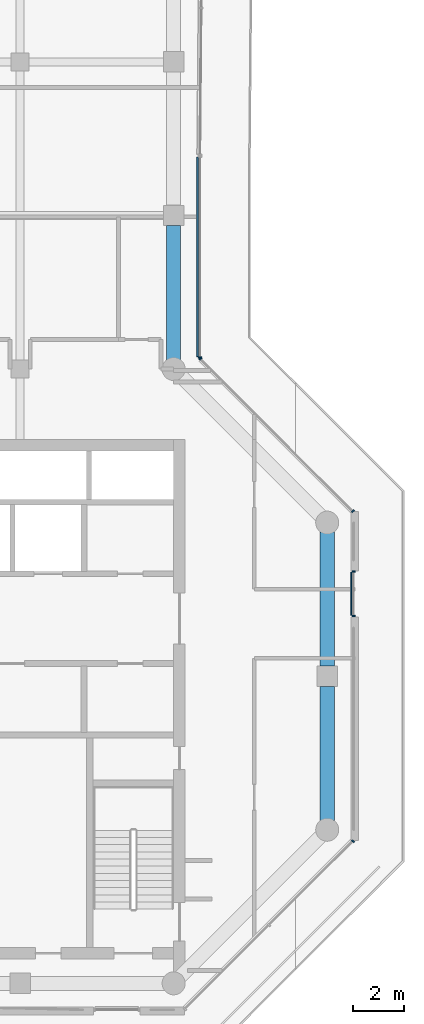
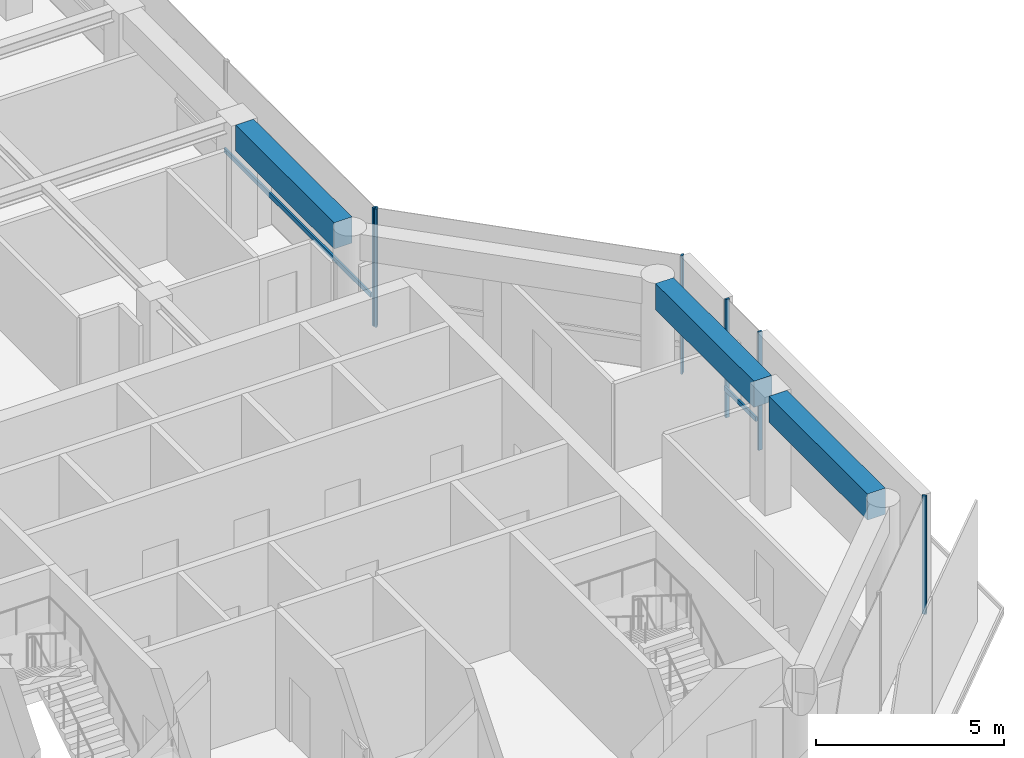
# One storey, part 6 of 19: 8 members, 3 beams, 4 elements without a shape of their own.
"""IFC4 building model written with IfcOpenShell, lengths in metres."""

import ifcopenshell
import ifcopenshell.guid

model = None  # the IFC model being written
_history = None  # IfcOwnerHistory: only IFC2X3 demands one
_inside = {}  # id of a spatial element -> (the spatial element, [elements in it])
_under = {}  # id of a project, library or spatial element -> (it, [spatial elements below it])
_declared = {}  # id of a project -> (the project, [libraries it declares])
_typed = {}  # id of a type object -> (the type object, [elements of that type])
_made_of = {}  # id of a material, layer set ... -> (it, [elements and type objects made of it])


def new_model(schema):
    """Start an empty IFC model of exactly this schema.

    Asked for "IFC4X3", IfcOpenShell would pick the latest addendum, in which some entities
    have other attributes; the version numbers below select the first issue.
    IFC2X3 requires an IfcOwnerHistory on every rooted entity: one is made here for all.
    """
    global model, _history
    if schema == "IFC4X3":
        model = ifcopenshell.file(schema_version=(4, 3, 0, 0))
    else:
        model = ifcopenshell.file(schema=schema)
    _inside.clear()
    _under.clear()
    _declared.clear()
    _typed.clear()
    _made_of.clear()
    _history = None
    if model.schema == "IFC2X3":
        org = make("IfcOrganization", Name="unknown")
        user = make(
            "IfcPersonAndOrganization",
            ThePerson=make("IfcPerson", FamilyName="unknown"),
            TheOrganization=org,
        )
        app = make(
            "IfcApplication",
            ApplicationDeveloper=org,
            Version="unknown",
            ApplicationFullName="unknown",
            ApplicationIdentifier="unknown",
        )
        _history = make(
            "IfcOwnerHistory",
            OwningUser=user,
            OwningApplication=app,
            ChangeAction="ADDED",
            CreationDate=0,
        )
    return model


def make(cls, **values):
    """One entity of the class cls with the attributes given. An attribute that is None is left unset."""
    return model.create_entity(
        cls, **{name: value for name, value in values.items() if value is not None}
    )


def rooted(cls, **values):
    """An entity with a GlobalId (a new one), such as an element, a storey or a relation."""
    return make(cls, GlobalId=ifcopenshell.guid.new(), OwnerHistory=_history, **values)


def si_unit(unit_type, name, prefix=None):
    """IfcSIUnit, for example si_unit("LENGTHUNIT", "METRE", prefix="MILLI")."""
    return make("IfcSIUnit", UnitType=unit_type, Prefix=prefix, Name=name)


def assignment(units):
    """IfcUnitAssignment: the units of a project."""
    return None if units is None else make("IfcUnitAssignment", Units=units)


def point(xyz):
    """IfcCartesianPoint."""
    return None if xyz is None else make("IfcCartesianPoint", Coordinates=xyz)


def direction(xyz):
    """IfcDirection."""
    return None if xyz is None else make("IfcDirection", DirectionRatios=xyz)


def frame(location, z_axis=None, x_axis=None):
    """IfcAxis2Placement3D, a coordinate frame: its origin and axes. An axis left out is left unset."""
    return make(
        "IfcAxis2Placement3D",
        Location=point(location),
        Axis=direction(z_axis),
        RefDirection=direction(x_axis),
    )


def frame_2d(location, x_axis=None):
    """IfcAxis2Placement2D, a coordinate frame in the plane: its origin and x axis."""
    return make(
        "IfcAxis2Placement2D", Location=point(location), RefDirection=direction(x_axis)
    )


def origin():
    """The frame at (0, 0, 0) with its axes left unset."""
    return frame((0.0, 0.0, 0.0))


def origin_2d():
    """The frame at (0, 0) in the plane with its x axis left unset."""
    return frame_2d((0.0, 0.0))


def place(relative_to, where):
    """IfcLocalPlacement: puts the frame where relative to a parent placement (None: the world)."""
    return make(
        "IfcLocalPlacement", PlacementRelTo=relative_to, RelativePlacement=where
    )


def context(
    kind, dimensions, precision=None, world=None, true_north=None, identifier=None
):
    """IfcGeometricRepresentationContext, for example the 3D "Model" context."""
    return make(
        "IfcGeometricRepresentationContext",
        ContextIdentifier=identifier,
        ContextType=kind,
        CoordinateSpaceDimension=dimensions,
        Precision=precision,
        WorldCoordinateSystem=world,
        TrueNorth=true_north,
    )


def subcontext(parent, identifier, kind, view, scale=None):
    """IfcGeometricRepresentationSubContext, for example "Body" below "Model"."""
    return make(
        "IfcGeometricRepresentationSubContext",
        ContextIdentifier=identifier,
        ContextType=kind,
        ParentContext=parent,
        TargetScale=scale,
        TargetView=view,
    )


def project(units=None, contexts=None):
    """IfcProject with its units and contexts."""
    return rooted(
        "IfcProject",
        Name="project",
        RepresentationContexts=contexts,
        UnitsInContext=assignment(units),
    )


def spatial(cls, under=None, at=None, **own):
    """A site, building, storey or space (cls), placed at a placement, below another one or the project."""
    s = rooted(cls, ObjectPlacement=at, **own)
    if under is not None:
        _under.setdefault(under.id(), (under, []))[1].append(s)
    return s


def profile(cls, at=None, kind="AREA", **sizes):
    """A parametric profile (cls). Its sizes go by their IFC names, for example OverallWidth=200.0."""
    return make(cls, ProfileType=kind, Position=at, **sizes)


def rectangle(**sizes):
    """IfcRectangleProfileDef."""
    return profile("IfcRectangleProfileDef", **sizes)


def extrude(swept, where, along, depth):
    """IfcExtrudedAreaSolid: the profile swept, set in the frame where, extruded along a direction by depth."""
    return make(
        "IfcExtrudedAreaSolid",
        SweptArea=swept,
        Position=where,
        ExtrudedDirection=direction(along),
        Depth=depth,
    )


def shape(context_of_items, identifier, shape_type, items):
    """IfcShapeRepresentation: the items that make up one representation, for example the "Body"."""
    return make(
        "IfcShapeRepresentation",
        ContextOfItems=context_of_items,
        RepresentationIdentifier=identifier,
        RepresentationType=shape_type,
        Items=items,
    )


def material(Name=None, Category=None):
    """IfcMaterial."""
    return make("IfcMaterial", Name=Name, Category=Category)


def layer(
    of_material, thickness, ventilated=None, Name=None, Category=None, Priority=None
):
    """IfcMaterialLayer: one layer of a wall or slab, of a material (None: an air gap)."""
    return make(
        "IfcMaterialLayer",
        Material=of_material,
        LayerThickness=thickness,
        IsVentilated=ventilated,
        Name=Name,
        Category=Category,
        Priority=Priority,
    )


def layer_set(layers, Name=None):
    """IfcMaterialLayerSet."""
    return make("IfcMaterialLayerSet", MaterialLayers=layers, LayerSetName=Name)


def material_profile(
    of_material, cross_section, Name=None, Category=None, Priority=None
):
    """IfcMaterialProfile: a cross section and its material."""
    return make(
        "IfcMaterialProfile",
        Name=Name,
        Material=of_material,
        Profile=cross_section,
        Priority=Priority,
        Category=Category,
    )


def profile_set(profiles, Name=None, composite=None):
    """IfcMaterialProfileSet."""
    return make(
        "IfcMaterialProfileSet",
        Name=Name,
        MaterialProfiles=profiles,
        CompositeProfile=composite,
    )


def made_of(thing, what):
    """Note that an element or type object is made of a material, layer set ...; save() writes the relation."""
    if what is not None:
        _made_of.setdefault(what.id(), (what, []))[1].append(thing)
    return thing


def type_object(cls, material=None, **own):
    """A type object (cls), such as IfcWallType, which elements share."""
    return made_of(rooted(cls, **own), material)


def element(
    cls,
    number,
    at=None,
    inside=None,
    cuts=None,
    type_object=None,
    material=None,
    context=None,
    identifier="Body",
    shape_type=None,
    held_by="IfcProductDefinitionShape",
    body=None,
    shapes=None,
    **own,
):
    """One element of the class cls, such as IfcWall. Its Tag is "e" and its number.

    at: its placement. inside: the storey or other place that contains it. cuts: it is an
    opening in that element (IfcRelVoidsElement). A single representation is given by context,
    identifier, shape_type and body (its items); several are given by shapes. held_by: the class
    of the entity that holds the representations. save() writes the other relations.
    """
    e = rooted(cls, Tag="e%d" % number, ObjectPlacement=at, **own)
    if body is not None:
        shapes = [shape(context, identifier, shape_type, body)]
    if shapes is not None:
        e.Representation = make(held_by, Representations=shapes)
    if inside is not None:
        _inside.setdefault(inside.id(), (inside, []))[1].append(e)
    if cuts is not None:
        rooted(
            "IfcRelVoidsElement", RelatingBuildingElement=cuts, RelatedOpeningElement=e
        )
    if type_object is not None:
        _typed.setdefault(type_object.id(), (type_object, []))[1].append(e)
    return made_of(e, material)


def aggregate(whole, parts):
    """IfcRelAggregates: a whole, such as a stair, and the parts it consists of."""
    return rooted("IfcRelAggregates", RelatingObject=whole, RelatedObjects=parts)


def save(model, path):
    """Write the relations noted so far, then the file.

    IfcRelAggregates (storeys below a building ...), IfcRelContainedInSpatialStructure (elements
    in a storey), IfcRelDefinesByType, IfcRelAssociatesMaterial and IfcRelDeclares: one each for
    every whole, place, type object, material and project.
    """
    for whole, parts in _under.values():
        aggregate(whole, parts)
    for where, things in _inside.values():
        rooted(
            "IfcRelContainedInSpatialStructure",
            RelatedElements=things,
            RelatingStructure=where,
        )
    for kind, things in _typed.values():
        rooted("IfcRelDefinesByType", RelatedObjects=things, RelatingType=kind)
    for what, things in _made_of.values():
        rooted("IfcRelAssociatesMaterial", RelatedObjects=things, RelatingMaterial=what)
    for by, libraries in _declared.values():
        rooted("IfcRelDeclares", RelatingContext=by, RelatedDefinitions=libraries)
    model.write(path)


model = new_model("IFC4")

# Units and contexts
model_context = context("Model", 3, precision=1e-05, world=origin(), true_north=direction((0.0, 1.0)))
body_context = subcontext(model_context, "Body", "Model", "MODEL_VIEW")
ifc_project = project(units=[si_unit("LENGTHUNIT", "METRE"), si_unit("AREAUNIT", "SQUARE_METRE"), si_unit("VOLUMEUNIT", "CUBIC_METRE"), si_unit("PLANEANGLEUNIT", "RADIAN"), si_unit("MASSUNIT", "GRAM", prefix="KILO")], contexts=[model_context])

# Site, building, storey
site_placement = place(None, origin())
site = spatial("IfcSite", under=ifc_project, at=site_placement, CompositionType="ELEMENT")
building_placement = place(site_placement, origin())
building = spatial("IfcBuilding", under=site, at=building_placement, Name="Welwitschia Terrace Campus", CompositionType="ELEMENT")
storey_placement = place(building_placement, frame((0.0, 0.0, 230.60009765625)))
storey = spatial("IfcBuildingStorey", under=building, at=storey_placement, Name="L51", CompositionType="ELEMENT", Elevation=230.60009765625)

# Curtain wall, member
ifc_material_1 = material(Name="Bronze anodised aluminium", Category="aluminium")
ifc_layer = layer(ifc_material_1, 0.1201171875)
ifc_layer_set = layer_set([ifc_layer], Name="Bronze anodised aluminium")
curtain_wall_type = type_object("IfcCurtainWallType", Name="Curtain wall CW2 tower 6000", PredefinedType="NOTDEFINED", material=ifc_layer_set)
curtain_wall_1_placement = place(storey_placement, origin())
curtain_wall_1 = element("IfcCurtainWall", 1, at=curtain_wall_1_placement, inside=storey, type_object=curtain_wall_type, Name="CW L51.6.0", PredefinedType="NOTDEFINED")
ifc_material_2 = material(Name="Bronze anodised aluminium", Category="aluminium")
ifc_material_profile_1 = material_profile(ifc_material_2, rectangle(XDim=0.1201171875, YDim=0.06005859375, at=origin_2d()))
ifc_profile_set_1 = profile_set([ifc_material_profile_1], Name="Bronze anodised aluminium")
member_type_1 = type_object("IfcMemberType", Name="Mullion 60x120", PredefinedType="MULLION", material=ifc_profile_set_1)
member_1_placement = place(storey_placement, frame((31.0087890625, 9.55224609375, 0.0), z_axis=(0.0, 0.0, 1.0), x_axis=(-0.707106781187, 0.707106781187, 0.0)))
member_1 = element("IfcMember", 2, at=member_1_placement, type_object=member_type_1, Name="Mullion L51.6.0.2", PredefinedType="MULLION", context=body_context, shape_type="SweptSolid", body=[
    extrude(rectangle(XDim=0.1201171875, YDim=0.06005859375, at=origin_2d()), origin(), (0.0, 0.0, 1.0), 3.849853515625),
])
aggregate(curtain_wall_1, [member_1])

# Curtain wall, members
curtain_wall_2_placement = place(storey_placement, origin())
curtain_wall_2 = element("IfcCurtainWall", 3, at=curtain_wall_2_placement, inside=storey, type_object=curtain_wall_type, Name="CW L51.7.S0", PredefinedType="NOTDEFINED")
member_2_placement = place(storey_placement, frame((31.030029296875, 18.34326171875, 0.0), z_axis=(0.0, 0.0, 1.0), x_axis=(-1.0, 0.0, 0.0)))
member_2 = element("IfcMember", 4, at=member_2_placement, type_object=member_type_1, Name="Mullion L51.7.S0.0", PredefinedType="MULLION", context=body_context, shape_type="SweptSolid", body=[
    extrude(rectangle(XDim=0.1201171875, YDim=0.06005859375, at=origin_2d()), origin(), (0.0, 0.0, 1.0), 3.849853515625),
])
member_3_placement = place(storey_placement, frame((31.030029296875, 20.083251953125, 0.0), z_axis=(0.0, 0.0, 1.0), x_axis=(-1.0, 0.0, 0.0)))
member_3 = element("IfcMember", 5, at=member_3_placement, type_object=member_type_1, Name="Mullion L51.7.S0.1", PredefinedType="MULLION", context=body_context, shape_type="SweptSolid", body=[
    extrude(rectangle(XDim=0.1201171875, YDim=0.06005859375, at=origin_2d()), origin(), (0.0, 0.0, 1.0), 3.849853515625),
])

curtain_wall_3_placement = place(storey_placement, origin())
curtain_wall_3 = element("IfcCurtainWall", 6, at=curtain_wall_3_placement, inside=storey, type_object=curtain_wall_type, Name="CW L51.8.0", PredefinedType="NOTDEFINED")
member_4_placement = place(storey_placement, frame((31.0087890625, 22.44775390625, 0.0), z_axis=(0.0, 0.0, 1.0), x_axis=(-0.707106781187, -0.707106781187, 0.0)))
member_4 = element("IfcMember", 7, at=member_4_placement, type_object=member_type_1, Name="Mullion L51.8.0.0", PredefinedType="MULLION", context=body_context, shape_type="SweptSolid", body=[
    extrude(rectangle(XDim=0.1201171875, YDim=0.06005859375, at=origin_2d()), origin(), (0.0, 0.0, 1.0), 3.849853515625),
])
member_5_placement = place(storey_placement, frame((25.05126953125, 28.405517578125, 0.0), z_axis=(0.0, 0.0, 1.0), x_axis=(-0.707106781187, -0.707106781187, 0.0)))
member_5 = element("IfcMember", 8, at=member_5_placement, type_object=member_type_1, Name="Mullion L51.8.0.1", PredefinedType="MULLION", context=body_context, shape_type="SweptSolid", body=[
    extrude(rectangle(XDim=0.1201171875, YDim=0.06005859375, at=origin_2d()), origin(), (0.0, 0.0, 1.0), 3.849853515625),
])
aggregate(curtain_wall_3, [member_4, member_5])

# Curtain wall, member
curtain_wall_4_placement = place(storey_placement, origin())
curtain_wall_4 = element("IfcCurtainWall", 9, at=curtain_wall_4_placement, inside=storey, type_object=curtain_wall_type, Name="CW L51.9.0", PredefinedType="NOTDEFINED")
member_6_placement = place(storey_placement, frame((25.030029296875, 28.45654296875, 0.0), z_axis=(0.0, 0.0, 1.0), x_axis=(-1.0, 0.0, 0.0)))
member_6 = element("IfcMember", 10, at=member_6_placement, type_object=member_type_1, Name="Mullion L51.9.0.0", PredefinedType="MULLION", context=body_context, shape_type="SweptSolid", body=[
    extrude(rectangle(XDim=0.1201171875, YDim=0.06005859375, at=origin_2d()), origin(), (0.0, 0.0, 1.0), 3.849853515625),
])

# Beams
ifc_material_3 = material(Name="Concrete C50/60", Category="concrete")
ifc_material_profile_2 = material_profile(ifc_material_3, rectangle(XDim=0.550048828125, YDim=0.85009765625, at=origin_2d()))
ifc_profile_set_2 = profile_set([ifc_material_profile_2], Name="Concrete C50/60")
beam_type = type_object("IfcBeamType", Name="Ring spandrel 550x850", PredefinedType="SPANDREL", material=ifc_profile_set_2)
for number, where, z_axis, x_axis, name in (
    (11, (30.0, 10.35693359375, 3.4248046875), (0.0, 1.0, 0.0), (-1.0, 0.0, 0.0), "Spandrel SP3"),
    (12, (30.0, 16.400390625, 3.4248046875), (0.0, 1.0, 0.0), (-1.0, 0.0, 0.0), "Spandrel SP3"),
    (13, (24.0, 28.35693359375, 3.4248046875), (0.0, 1.0, 0.0), (-1.0, 0.0, 0.0), "Spandrel SP3"),
):
    element("IfcBeam", number, at=place(storey_placement, frame(where, z_axis=z_axis, x_axis=x_axis)), inside=storey, type_object=beam_type, Name=name, PredefinedType="SPANDREL", context=body_context, shape_type="SweptSolid", body=[
        extrude(rectangle(XDim=0.550048828125, YDim=0.85009765625, at=origin_2d()), origin(), (0.0, 0.0, 1.0), 5.24267578125),
    ])

# Member
ifc_material_4 = material(Name="Bronze anodised aluminium", Category="aluminium")
ifc_material_profile_3 = material_profile(ifc_material_4, rectangle(XDim=0.06005859375, YDim=0.14990234375, at=origin_2d()))
ifc_profile_set_3 = profile_set([ifc_material_profile_3], Name="Bronze anodised aluminium")
member_type_2 = type_object("IfcMemberType", Name="Transom 60x150", PredefinedType="USERDEFINED", material=ifc_profile_set_3)
member_7_placement = place(storey_placement, frame((30.93994140625, 18.373291015625, 1.0), z_axis=(0.0, 1.0, 0.0), x_axis=(-1.0, 0.0, 0.0)))
member_7 = element("IfcMember", 14, at=member_7_placement, type_object=member_type_2, Name="Transom L51.7.S0", ObjectType="TRANSOM", PredefinedType="USERDEFINED", context=body_context, shape_type="SweptSolid", body=[
    extrude(rectangle(XDim=0.06005859375, YDim=0.14990234375, at=origin_2d()), origin(), (0.0, 0.0, 1.0), 1.679931640625),
])

aggregate(curtain_wall_2, [member_2, member_3, member_7])

member_8_placement = place(storey_placement, frame((24.93994140625, 28.486572265625, 1.0), z_axis=(0.0, 1.0, 0.0), x_axis=(-1.0, 0.0, 0.0)))
member_8 = element("IfcMember", 15, at=member_8_placement, type_object=member_type_2, Name="Transom L51.9.0", ObjectType="TRANSOM", PredefinedType="USERDEFINED", context=body_context, shape_type="SweptSolid", body=[
    extrude(rectangle(XDim=0.06005859375, YDim=0.14990234375, at=origin_2d()), origin(), (0.0, 0.0, 1.0), 7.793212890625),
])

aggregate(curtain_wall_4, [member_6, member_8])

save(model, "model.ifc")
